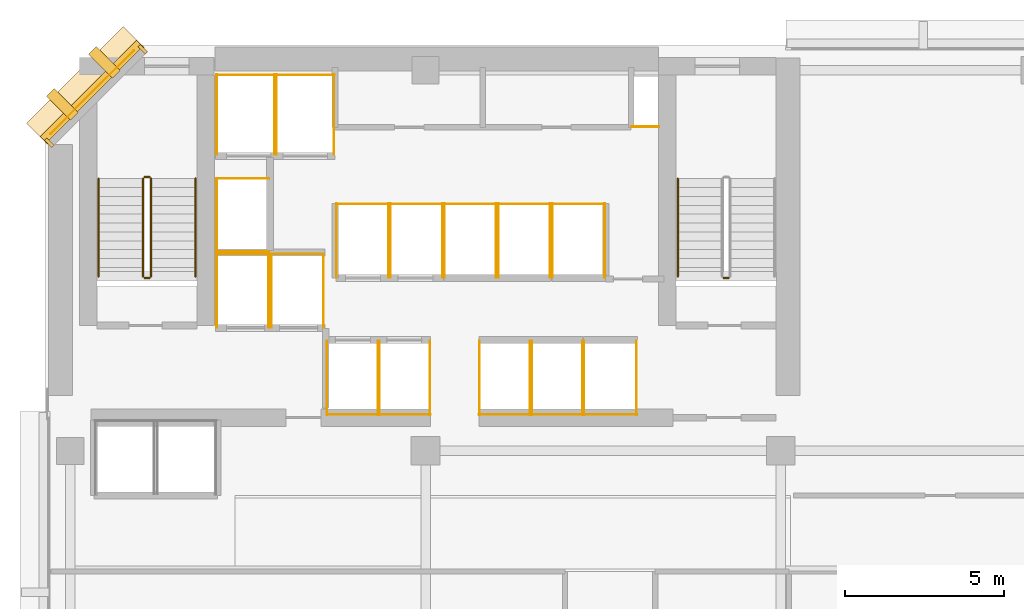
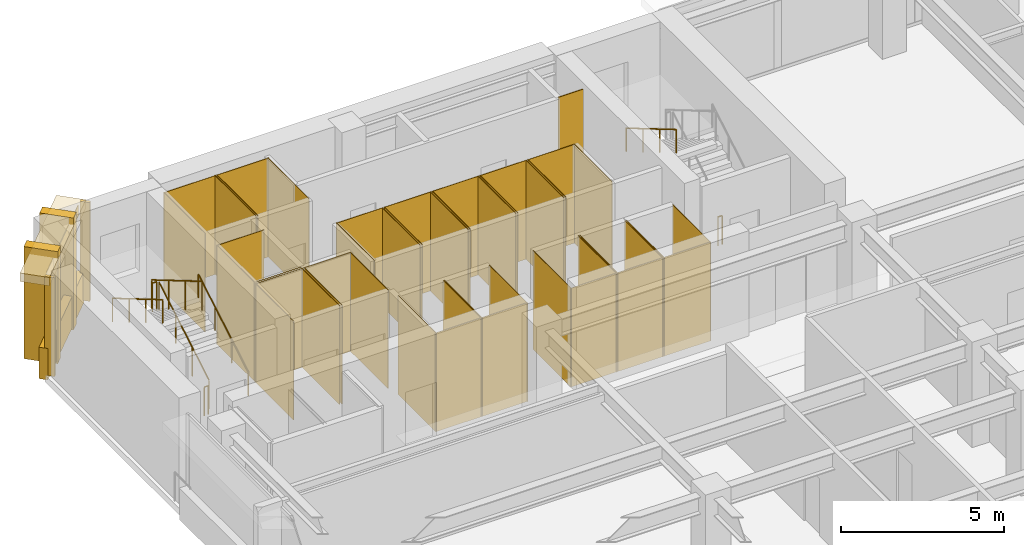
# One storey, part 10 of 12: 53 coverings, 8 railings.
"""IFC4 building model written with IfcOpenShell, lengths in metres."""

from ifc_helpers import new_model, si_unit, direction, frame, origin, origin_2d, place, context, subcontext, project, spatial, polyline, rectangle, circle, outline, extrude, material, layer, layer_set, type_object, element, save


model = new_model("IFC4")

# Units and contexts
model_context = context("Model", 3, precision=1e-05, world=origin(), true_north=direction((0.0, 1.0)))
body_context = subcontext(model_context, "Body", "Model", "MODEL_VIEW")
ifc_project = project(units=[si_unit("LENGTHUNIT", "METRE"), si_unit("AREAUNIT", "SQUARE_METRE"), si_unit("VOLUMEUNIT", "CUBIC_METRE"), si_unit("PLANEANGLEUNIT", "RADIAN"), si_unit("MASSUNIT", "GRAM", prefix="KILO")], contexts=[model_context])

# Site, building, storey
site_placement = place(None, origin())
site = spatial("IfcSite", under=ifc_project, at=site_placement, CompositionType="ELEMENT")
building_placement = place(site_placement, origin())
building = spatial("IfcBuilding", under=site, at=building_placement, Name="Kefirva Bronze Tower", CompositionType="ELEMENT")
storey_placement = place(building_placement, frame((0.0, 0.0, 122.429931640625)))
storey = spatial("IfcBuildingStorey", under=building, at=storey_placement, Name="L29", CompositionType="ELEMENT", Elevation=122.429931640625)

# Coverings
ifc_material_1 = material(Name="Bronze anodised aluminium", Category="aluminium")
ifc_layer_1 = layer(ifc_material_1, 0.02001953125, Name="Bronze anodised aluminium")
ifc_layer_set_1 = layer_set([ifc_layer_1], Name="Bronze anodised aluminium")
covering_type_1 = type_object("IfcCoveringType", Name="Anodised Bronze Spandrel Cladding 20mm", PredefinedType="CLADDING", material=ifc_layer_set_1)
covering_1_placement = place(storey_placement, frame((1.492919921875, 44.507080078125, 3.2900390625), z_axis=(0.0, 0.0, 1.0), x_axis=(-0.707106781187, -0.707106781187, 0.0)))
element("IfcCovering", 1, at=covering_1_placement, inside=storey, type_object=covering_type_1, Name="L29 Bronze Spandrel Cladding 5", PredefinedType="CLADDING", context=body_context, shape_type="SweptSolid", body=[
    extrude(rectangle(XDim=3.719482421875, YDim=0.02001953125, at=origin_2d()), origin(), (0.0, 0.0, 1.0), 0.39990234375),
])
for number, where, z_axis, x_axis, name in (
    (2, (3.08837890625, 45.862060546875, 0.0), (0.0, 0.0, 1.0), (-0.707106781187, -0.707106781187, 0.0), "L29 Facade Joint Closure Panel 5S"),
    (3, (0.137939453125, 42.91162109375, 0.0), (0.0, 0.0, 1.0), (-0.707106781187, -0.707106781187, 0.0), "L29 Facade Joint Closure Panel 5E"),
):
    element("IfcCovering", number, at=place(storey_placement, frame(where, z_axis=z_axis, x_axis=x_axis)), inside=storey, type_object=covering_type_1, Name=name, PredefinedType="CLADDING", context=body_context, shape_type="SweptSolid", body=[
        extrude(rectangle(XDim=0.10009765625, YDim=0.320068359375, at=origin_2d()), origin(), (0.0, 0.0, 1.0), 3.7099609375),
    ])
covering_2_placement = place(storey_placement, frame((1.4716796875, 44.5283203125, -0.15966796875), z_axis=(0.0, 0.0, 1.0), x_axis=(-0.707106781187, -0.707106781187, 0.0)))
element("IfcCovering", 4, at=covering_2_placement, inside=storey, type_object=covering_type_1, Name="L29 Streamline Horizontal Spandrel Band 9", PredefinedType="CLADDING", context=body_context, shape_type="SweptSolid", body=[
    extrude(rectangle(XDim=4.28271484375, YDim=0.280029296875, at=origin_2d()), origin(), (0.0, 0.0, 1.0), 1.179931640625),
])
covering_3_placement = place(storey_placement, origin())
element("IfcCovering", 5, at=covering_3_placement, inside=storey, type_object=covering_type_1, Name="L29 Lift FF1 Hoistway Liner N", PredefinedType="CLADDING", context=body_context, shape_type="SweptSolid", body=[
    extrude(outline(polyline([(5.39990234375, 39.389892578125), (7.080078125, 39.389892578125), (7.080078125, 39.409912109375), (5.39990234375, 39.409912109375), (5.39990234375, 39.389892578125)])), origin(), (0.0, 0.0, 1.0), 3.7099609375),
])
covering_4_placement = place(storey_placement, origin())
element("IfcCovering", 6, at=covering_4_placement, inside=storey, type_object=covering_type_1, Name="L29 Lift FF1 Hoistway Liner W", PredefinedType="CLADDING", context=body_context, shape_type="SweptSolid", body=[
    extrude(outline(polyline([(5.409912109375, 37.080078125), (5.429931640625, 37.080078125), (5.429931640625, 39.419921875), (5.409912109375, 39.419921875), (5.409912109375, 37.080078125)])), origin(), (0.0, 0.0, 1.0), 3.7099609375),
])
covering_5_placement = place(storey_placement, origin())
element("IfcCovering", 7, at=covering_5_placement, inside=storey, type_object=covering_type_1, Name="L29 Lift FF1 Hoistway Liner E", PredefinedType="CLADDING", context=body_context, shape_type="SweptSolid", body=[
    extrude(outline(polyline([(7.050048828125, 37.080078125), (7.070068359375, 37.080078125), (7.070068359375, 39.419921875), (7.050048828125, 39.419921875), (7.050048828125, 37.080078125)])), origin(), (0.0, 0.0, 1.0), 3.7099609375),
])
covering_6_placement = place(storey_placement, origin())
element("IfcCovering", 8, at=covering_6_placement, inside=storey, type_object=covering_type_1, Name="L29 Lift FF2 Hoistway Liner N", PredefinedType="CLADDING", context=body_context, shape_type="SweptSolid", body=[
    extrude(outline(polyline([(7.1201171875, 39.389892578125), (8.800048828125, 39.389892578125), (8.800048828125, 39.409912109375), (7.1201171875, 39.409912109375), (7.1201171875, 39.389892578125)])), origin(), (0.0, 0.0, 1.0), 3.7099609375),
])
covering_7_placement = place(storey_placement, origin())
element("IfcCovering", 9, at=covering_7_placement, inside=storey, type_object=covering_type_1, Name="L29 Lift FF2 Hoistway Liner W", PredefinedType="CLADDING", context=body_context, shape_type="SweptSolid", body=[
    extrude(outline(polyline([(7.1298828125, 37.080078125), (7.14990234375, 37.080078125), (7.14990234375, 39.419921875), (7.1298828125, 39.419921875), (7.1298828125, 37.080078125)])), origin(), (0.0, 0.0, 1.0), 3.7099609375),
])
covering_8_placement = place(storey_placement, origin())
element("IfcCovering", 10, at=covering_8_placement, inside=storey, type_object=covering_type_1, Name="L29 Lift FF2 Hoistway Liner E", PredefinedType="CLADDING", context=body_context, shape_type="SweptSolid", body=[
    extrude(outline(polyline([(8.77001953125, 37.080078125), (8.7900390625, 37.080078125), (8.7900390625, 39.419921875), (8.77001953125, 39.419921875), (8.77001953125, 37.080078125)])), origin(), (0.0, 0.0, 1.0), 3.7099609375),
])
covering_9_placement = place(storey_placement, origin())
element("IfcCovering", 11, at=covering_9_placement, inside=storey, type_object=covering_type_1, Name="L29 Lift SV1 Hoistway Liner N", PredefinedType="CLADDING", context=body_context, shape_type="SweptSolid", body=[
    extrude(outline(polyline([(5.39990234375, 45.0400390625), (7.260009765625, 45.0400390625), (7.260009765625, 45.06005859375), (5.39990234375, 45.06005859375), (5.39990234375, 45.0400390625)])), origin(), (0.0, 0.0, 1.0), 3.7099609375),
])
covering_10_placement = place(storey_placement, origin())
element("IfcCovering", 12, at=covering_10_placement, inside=storey, type_object=covering_type_1, Name="L29 Lift SV1 Hoistway Liner W", PredefinedType="CLADDING", context=body_context, shape_type="SweptSolid", body=[
    extrude(outline(polyline([(5.409912109375, 42.530029296875), (5.429931640625, 42.530029296875), (5.429931640625, 45.070068359375), (5.409912109375, 45.070068359375), (5.409912109375, 42.530029296875)])), origin(), (0.0, 0.0, 1.0), 3.7099609375),
])
covering_11_placement = place(storey_placement, origin())
element("IfcCovering", 13, at=covering_11_placement, inside=storey, type_object=covering_type_1, Name="L29 Lift SV1 Hoistway Liner E", PredefinedType="CLADDING", context=body_context, shape_type="SweptSolid", body=[
    extrude(outline(polyline([(7.22998046875, 42.530029296875), (7.25, 42.530029296875), (7.25, 45.070068359375), (7.22998046875, 45.070068359375), (7.22998046875, 42.530029296875)])), origin(), (0.0, 0.0, 1.0), 3.7099609375),
])
covering_12_placement = place(storey_placement, origin())
element("IfcCovering", 14, at=covering_12_placement, inside=storey, type_object=covering_type_1, Name="L29 Lift SV2 Hoistway Liner N", PredefinedType="CLADDING", context=body_context, shape_type="SweptSolid", body=[
    extrude(outline(polyline([(7.280029296875, 45.0400390625), (9.139892578125, 45.0400390625), (9.139892578125, 45.06005859375), (7.280029296875, 45.06005859375), (7.280029296875, 45.0400390625)])), origin(), (0.0, 0.0, 1.0), 3.7099609375),
])
covering_13_placement = place(storey_placement, origin())
element("IfcCovering", 15, at=covering_13_placement, inside=storey, type_object=covering_type_1, Name="L29 Lift SV2 Hoistway Liner W", PredefinedType="CLADDING", context=body_context, shape_type="SweptSolid", body=[
    extrude(outline(polyline([(7.2900390625, 42.530029296875), (7.31005859375, 42.530029296875), (7.31005859375, 45.070068359375), (7.2900390625, 45.070068359375), (7.2900390625, 42.530029296875)])), origin(), (0.0, 0.0, 1.0), 3.7099609375),
])
covering_14_placement = place(storey_placement, origin())
element("IfcCovering", 16, at=covering_14_placement, inside=storey, type_object=covering_type_1, Name="L29 Lift SV2 Hoistway Liner E", PredefinedType="CLADDING", context=body_context, shape_type="SweptSolid", body=[
    extrude(outline(polyline([(9.110107421875, 42.530029296875), (9.1298828125, 42.530029296875), (9.1298828125, 45.070068359375), (9.110107421875, 45.070068359375), (9.110107421875, 42.530029296875)])), origin(), (0.0, 0.0, 1.0), 3.7099609375),
])
covering_15_placement = place(storey_placement, origin())
element("IfcCovering", 17, at=covering_15_placement, inside=storey, type_object=covering_type_1, Name="L29 Lift LP1 Hoistway Liner S", PredefinedType="CLADDING", context=body_context, shape_type="SweptSolid", body=[
    extrude(outline(polyline([(8.8798828125, 34.340087890625), (10.52001953125, 34.340087890625), (10.52001953125, 34.360107421875), (8.8798828125, 34.360107421875), (8.8798828125, 34.340087890625)])), origin(), (0.0, 0.0, 1.0), 3.7099609375),
])
covering_16_placement = place(storey_placement, origin())
element("IfcCovering", 18, at=covering_16_placement, inside=storey, type_object=covering_type_1, Name="L29 Lift LP1 Hoistway Liner W", PredefinedType="CLADDING", context=body_context, shape_type="SweptSolid", body=[
    extrude(outline(polyline([(8.889892578125, 34.330078125), (8.909912109375, 34.330078125), (8.909912109375, 36.669921875), (8.889892578125, 36.669921875), (8.889892578125, 34.330078125)])), origin(), (0.0, 0.0, 1.0), 3.7099609375),
])
covering_17_placement = place(storey_placement, origin())
element("IfcCovering", 19, at=covering_17_placement, inside=storey, type_object=covering_type_1, Name="L29 Lift LP1 Hoistway Liner E", PredefinedType="CLADDING", context=body_context, shape_type="SweptSolid", body=[
    extrude(outline(polyline([(10.489990234375, 34.330078125), (10.510009765625, 34.330078125), (10.510009765625, 36.669921875), (10.489990234375, 36.669921875), (10.489990234375, 34.330078125)])), origin(), (0.0, 0.0, 1.0), 3.7099609375),
])
covering_18_placement = place(storey_placement, origin())
element("IfcCovering", 20, at=covering_18_placement, inside=storey, type_object=covering_type_1, Name="L29 Lift LP2 Hoistway Liner S", PredefinedType="CLADDING", context=body_context, shape_type="SweptSolid", body=[
    extrude(outline(polyline([(10.52001953125, 34.340087890625), (12.159912109375, 34.340087890625), (12.159912109375, 34.360107421875), (10.52001953125, 34.360107421875), (10.52001953125, 34.340087890625)])), origin(), (0.0, 0.0, 1.0), 3.7099609375),
])
covering_19_placement = place(storey_placement, origin())
element("IfcCovering", 21, at=covering_19_placement, inside=storey, type_object=covering_type_1, Name="L29 Lift LP2 Hoistway Liner W", PredefinedType="CLADDING", context=body_context, shape_type="SweptSolid", body=[
    extrude(outline(polyline([(10.530029296875, 34.330078125), (10.550048828125, 34.330078125), (10.550048828125, 36.669921875), (10.530029296875, 36.669921875), (10.530029296875, 34.330078125)])), origin(), (0.0, 0.0, 1.0), 3.7099609375),
])
covering_20_placement = place(storey_placement, origin())
element("IfcCovering", 22, at=covering_20_placement, inside=storey, type_object=covering_type_1, Name="L29 Lift LP2 Hoistway Liner E", PredefinedType="CLADDING", context=body_context, shape_type="SweptSolid", body=[
    extrude(outline(polyline([(12.1298828125, 34.330078125), (12.14990234375, 34.330078125), (12.14990234375, 36.669921875), (12.1298828125, 36.669921875), (12.1298828125, 34.330078125)])), origin(), (0.0, 0.0, 1.0), 3.7099609375),
])
covering_21_placement = place(storey_placement, origin())
element("IfcCovering", 23, at=covering_21_placement, inside=storey, type_object=covering_type_1, Name="L29 Lift LP3 Hoistway Liner N", PredefinedType="CLADDING", context=body_context, shape_type="SweptSolid", body=[
    extrude(outline(polyline([(9.179931640625, 40.969970703125), (10.85009765625, 40.969970703125), (10.85009765625, 40.989990234375), (9.179931640625, 40.989990234375), (9.179931640625, 40.969970703125)])), origin(), (0.0, 0.0, 1.0), 3.7099609375),
])
covering_22_placement = place(storey_placement, origin())
element("IfcCovering", 24, at=covering_22_placement, inside=storey, type_object=covering_type_1, Name="L29 Lift LP3 Hoistway Liner W", PredefinedType="CLADDING", context=body_context, shape_type="SweptSolid", body=[
    extrude(outline(polyline([(9.18994140625, 38.659912109375), (9.2099609375, 38.659912109375), (9.2099609375, 41.0), (9.18994140625, 41.0), (9.18994140625, 38.659912109375)])), origin(), (0.0, 0.0, 1.0), 3.7099609375),
])
covering_23_placement = place(storey_placement, origin())
element("IfcCovering", 25, at=covering_23_placement, inside=storey, type_object=covering_type_1, Name="L29 Lift LP3 Hoistway Liner E", PredefinedType="CLADDING", context=body_context, shape_type="SweptSolid", body=[
    extrude(outline(polyline([(10.820068359375, 38.659912109375), (10.840087890625, 38.659912109375), (10.840087890625, 41.0), (10.820068359375, 41.0), (10.820068359375, 38.659912109375)])), origin(), (0.0, 0.0, 1.0), 3.7099609375),
])
covering_24_placement = place(storey_placement, origin())
element("IfcCovering", 26, at=covering_24_placement, inside=storey, type_object=covering_type_1, Name="L29 Lift LP4 Hoistway Liner N", PredefinedType="CLADDING", context=body_context, shape_type="SweptSolid", body=[
    extrude(outline(polyline([(10.8798828125, 40.969970703125), (12.550048828125, 40.969970703125), (12.550048828125, 40.989990234375), (10.8798828125, 40.989990234375), (10.8798828125, 40.969970703125)])), origin(), (0.0, 0.0, 1.0), 3.7099609375),
])
covering_25_placement = place(storey_placement, origin())
element("IfcCovering", 27, at=covering_25_placement, inside=storey, type_object=covering_type_1, Name="L29 Lift LP4 Hoistway Liner W", PredefinedType="CLADDING", context=body_context, shape_type="SweptSolid", body=[
    extrude(outline(polyline([(10.889892578125, 38.659912109375), (10.909912109375, 38.659912109375), (10.909912109375, 41.0), (10.889892578125, 41.0), (10.889892578125, 38.659912109375)])), origin(), (0.0, 0.0, 1.0), 3.7099609375),
])
covering_26_placement = place(storey_placement, origin())
element("IfcCovering", 28, at=covering_26_placement, inside=storey, type_object=covering_type_1, Name="L29 Lift LP4 Hoistway Liner E", PredefinedType="CLADDING", context=body_context, shape_type="SweptSolid", body=[
    extrude(outline(polyline([(12.52001953125, 38.659912109375), (12.5400390625, 38.659912109375), (12.5400390625, 41.0), (12.52001953125, 41.0), (12.52001953125, 38.659912109375)])), origin(), (0.0, 0.0, 1.0), 3.7099609375),
])
covering_27_placement = place(storey_placement, origin())
element("IfcCovering", 29, at=covering_27_placement, inside=storey, type_object=covering_type_1, Name="L29 Lift MP1 Hoistway Liner S", PredefinedType="CLADDING", context=body_context, shape_type="SweptSolid", body=[
    extrude(outline(polyline([(13.679931640625, 34.340087890625), (15.320068359375, 34.340087890625), (15.320068359375, 34.360107421875), (13.679931640625, 34.360107421875), (13.679931640625, 34.340087890625)])), origin(), (0.0, 0.0, 1.0), 3.7099609375),
])
covering_28_placement = place(storey_placement, origin())
element("IfcCovering", 30, at=covering_28_placement, inside=storey, type_object=covering_type_1, Name="L29 Lift MP1 Hoistway Liner W", PredefinedType="CLADDING", context=body_context, shape_type="SweptSolid", body=[
    extrude(outline(polyline([(13.68994140625, 34.330078125), (13.7099609375, 34.330078125), (13.7099609375, 36.669921875), (13.68994140625, 36.669921875), (13.68994140625, 34.330078125)])), origin(), (0.0, 0.0, 1.0), 3.7099609375),
])
covering_29_placement = place(storey_placement, origin())
element("IfcCovering", 31, at=covering_29_placement, inside=storey, type_object=covering_type_1, Name="L29 Lift MP1 Hoistway Liner E", PredefinedType="CLADDING", context=body_context, shape_type="SweptSolid", body=[
    extrude(outline(polyline([(15.2900390625, 34.330078125), (15.31005859375, 34.330078125), (15.31005859375, 36.669921875), (15.2900390625, 36.669921875), (15.2900390625, 34.330078125)])), origin(), (0.0, 0.0, 1.0), 3.7099609375),
])
covering_30_placement = place(storey_placement, origin())
element("IfcCovering", 32, at=covering_30_placement, inside=storey, type_object=covering_type_1, Name="L29 Lift MP2 Hoistway Liner S", PredefinedType="CLADDING", context=body_context, shape_type="SweptSolid", body=[
    extrude(outline(polyline([(15.330078125, 34.340087890625), (16.969970703125, 34.340087890625), (16.969970703125, 34.360107421875), (15.330078125, 34.360107421875), (15.330078125, 34.340087890625)])), origin(), (0.0, 0.0, 1.0), 3.7099609375),
])
covering_31_placement = place(storey_placement, origin())
element("IfcCovering", 33, at=covering_31_placement, inside=storey, type_object=covering_type_1, Name="L29 Lift MP2 Hoistway Liner W", PredefinedType="CLADDING", context=body_context, shape_type="SweptSolid", body=[
    extrude(outline(polyline([(15.340087890625, 34.330078125), (15.360107421875, 34.330078125), (15.360107421875, 36.669921875), (15.340087890625, 36.669921875), (15.340087890625, 34.330078125)])), origin(), (0.0, 0.0, 1.0), 3.7099609375),
])
covering_32_placement = place(storey_placement, origin())
element("IfcCovering", 34, at=covering_32_placement, inside=storey, type_object=covering_type_1, Name="L29 Lift MP2 Hoistway Liner E", PredefinedType="CLADDING", context=body_context, shape_type="SweptSolid", body=[
    extrude(outline(polyline([(16.93994140625, 34.330078125), (16.9599609375, 34.330078125), (16.9599609375, 36.669921875), (16.93994140625, 36.669921875), (16.93994140625, 34.330078125)])), origin(), (0.0, 0.0, 1.0), 3.7099609375),
])
covering_33_placement = place(storey_placement, origin())
element("IfcCovering", 35, at=covering_33_placement, inside=storey, type_object=covering_type_1, Name="L29 Lift MP3 Hoistway Liner N", PredefinedType="CLADDING", context=body_context, shape_type="SweptSolid", body=[
    extrude(outline(polyline([(12.580078125, 40.969970703125), (14.25, 40.969970703125), (14.25, 40.989990234375), (12.580078125, 40.989990234375), (12.580078125, 40.969970703125)])), origin(), (0.0, 0.0, 1.0), 3.7099609375),
])
covering_34_placement = place(storey_placement, origin())
element("IfcCovering", 36, at=covering_34_placement, inside=storey, type_object=covering_type_1, Name="L29 Lift MP3 Hoistway Liner W", PredefinedType="CLADDING", context=body_context, shape_type="SweptSolid", body=[
    extrude(outline(polyline([(12.590087890625, 38.659912109375), (12.610107421875, 38.659912109375), (12.610107421875, 41.0), (12.590087890625, 41.0), (12.590087890625, 38.659912109375)])), origin(), (0.0, 0.0, 1.0), 3.7099609375),
])
covering_35_placement = place(storey_placement, origin())
element("IfcCovering", 37, at=covering_35_placement, inside=storey, type_object=covering_type_1, Name="L29 Lift MP3 Hoistway Liner E", PredefinedType="CLADDING", context=body_context, shape_type="SweptSolid", body=[
    extrude(outline(polyline([(14.219970703125, 38.659912109375), (14.239990234375, 38.659912109375), (14.239990234375, 41.0), (14.219970703125, 41.0), (14.219970703125, 38.659912109375)])), origin(), (0.0, 0.0, 1.0), 3.7099609375),
])
covering_36_placement = place(storey_placement, origin())
element("IfcCovering", 38, at=covering_36_placement, inside=storey, type_object=covering_type_1, Name="L29 Lift MP4 Hoistway Liner N", PredefinedType="CLADDING", context=body_context, shape_type="SweptSolid", body=[
    extrude(outline(polyline([(14.280029296875, 40.969970703125), (15.949951171875, 40.969970703125), (15.949951171875, 40.989990234375), (14.280029296875, 40.989990234375), (14.280029296875, 40.969970703125)])), origin(), (0.0, 0.0, 1.0), 3.7099609375),
])
covering_37_placement = place(storey_placement, origin())
element("IfcCovering", 39, at=covering_37_placement, inside=storey, type_object=covering_type_1, Name="L29 Lift MP4 Hoistway Liner W", PredefinedType="CLADDING", context=body_context, shape_type="SweptSolid", body=[
    extrude(outline(polyline([(14.2900390625, 38.659912109375), (14.31005859375, 38.659912109375), (14.31005859375, 41.0), (14.2900390625, 41.0), (14.2900390625, 38.659912109375)])), origin(), (0.0, 0.0, 1.0), 3.7099609375),
])
covering_38_placement = place(storey_placement, origin())
element("IfcCovering", 40, at=covering_38_placement, inside=storey, type_object=covering_type_1, Name="L29 Lift MP4 Hoistway Liner E", PredefinedType="CLADDING", context=body_context, shape_type="SweptSolid", body=[
    extrude(outline(polyline([(15.919921875, 38.659912109375), (15.93994140625, 38.659912109375), (15.93994140625, 41.0), (15.919921875, 41.0), (15.919921875, 38.659912109375)])), origin(), (0.0, 0.0, 1.0), 3.7099609375),
])
covering_39_placement = place(storey_placement, origin())
element("IfcCovering", 41, at=covering_39_placement, inside=storey, type_object=covering_type_1, Name="L29 Lift HP1 Hoistway Liner S", PredefinedType="CLADDING", context=body_context, shape_type="SweptSolid", body=[
    extrude(outline(polyline([(16.97998046875, 34.340087890625), (18.669921875, 34.340087890625), (18.669921875, 34.360107421875), (16.97998046875, 34.360107421875), (16.97998046875, 34.340087890625)])), origin(), (0.0, 0.0, 1.0), 3.7099609375),
])
covering_40_placement = place(storey_placement, origin())
element("IfcCovering", 42, at=covering_40_placement, inside=storey, type_object=covering_type_1, Name="L29 Lift HP1 Hoistway Liner W", PredefinedType="CLADDING", context=body_context, shape_type="SweptSolid", body=[
    extrude(outline(polyline([(16.989990234375, 34.330078125), (17.010009765625, 34.330078125), (17.010009765625, 36.669921875), (16.989990234375, 36.669921875), (16.989990234375, 34.330078125)])), origin(), (0.0, 0.0, 1.0), 3.7099609375),
])
covering_41_placement = place(storey_placement, origin())
element("IfcCovering", 43, at=covering_41_placement, inside=storey, type_object=covering_type_1, Name="L29 Lift HP1 Hoistway Liner E", PredefinedType="CLADDING", context=body_context, shape_type="SweptSolid", body=[
    extrude(outline(polyline([(18.639892578125, 34.330078125), (18.659912109375, 34.330078125), (18.659912109375, 36.669921875), (18.639892578125, 36.669921875), (18.639892578125, 34.330078125)])), origin(), (0.0, 0.0, 1.0), 3.7099609375),
])
covering_42_placement = place(storey_placement, origin())
element("IfcCovering", 44, at=covering_42_placement, inside=storey, type_object=covering_type_1, Name="L29 Lift HP2 Hoistway Liner N", PredefinedType="CLADDING", context=body_context, shape_type="SweptSolid", body=[
    extrude(outline(polyline([(15.97998046875, 40.969970703125), (17.669921875, 40.969970703125), (17.669921875, 40.989990234375), (15.97998046875, 40.989990234375), (15.97998046875, 40.969970703125)])), origin(), (0.0, 0.0, 1.0), 3.7099609375),
])
covering_43_placement = place(storey_placement, origin())
element("IfcCovering", 45, at=covering_43_placement, inside=storey, type_object=covering_type_1, Name="L29 Lift HP2 Hoistway Liner W", PredefinedType="CLADDING", context=body_context, shape_type="SweptSolid", body=[
    extrude(outline(polyline([(15.989990234375, 38.659912109375), (16.010009765625, 38.659912109375), (16.010009765625, 41.0), (15.989990234375, 41.0), (15.989990234375, 38.659912109375)])), origin(), (0.0, 0.0, 1.0), 3.7099609375),
])
covering_44_placement = place(storey_placement, origin())
element("IfcCovering", 46, at=covering_44_placement, inside=storey, type_object=covering_type_1, Name="L29 Lift HP2 Hoistway Liner E", PredefinedType="CLADDING", context=body_context, shape_type="SweptSolid", body=[
    extrude(outline(polyline([(17.639892578125, 38.659912109375), (17.659912109375, 38.659912109375), (17.659912109375, 41.0), (17.639892578125, 41.0), (17.639892578125, 38.659912109375)])), origin(), (0.0, 0.0, 1.0), 3.7099609375),
])
covering_45_placement = place(storey_placement, origin())
element("IfcCovering", 47, at=covering_45_placement, inside=storey, type_object=covering_type_1, Name="L29 Lift HP3 Hoistway Liner N", PredefinedType="CLADDING", context=body_context, shape_type="SweptSolid", body=[
    extrude(outline(polyline([(5.39990234375, 41.77001953125), (7.080078125, 41.77001953125), (7.080078125, 41.7900390625), (5.39990234375, 41.7900390625), (5.39990234375, 41.77001953125)])), origin(), (0.0, 0.0, 1.0), 3.7099609375),
])
covering_46_placement = place(storey_placement, origin())
element("IfcCovering", 48, at=covering_46_placement, inside=storey, type_object=covering_type_1, Name="L29 Lift HP3 Hoistway Liner S", PredefinedType="CLADDING", context=body_context, shape_type="SweptSolid", body=[
    extrude(outline(polyline([(5.39990234375, 39.469970703125), (7.080078125, 39.469970703125), (7.080078125, 39.489990234375), (5.39990234375, 39.489990234375), (5.39990234375, 39.469970703125)])), origin(), (0.0, 0.0, 1.0), 3.7099609375),
])
covering_47_placement = place(storey_placement, origin())
element("IfcCovering", 49, at=covering_47_placement, inside=storey, type_object=covering_type_1, Name="L29 Lift HP3 Hoistway Liner W", PredefinedType="CLADDING", context=body_context, shape_type="SweptSolid", body=[
    extrude(outline(polyline([(5.409912109375, 39.4599609375), (5.429931640625, 39.4599609375), (5.429931640625, 41.800048828125), (5.409912109375, 41.800048828125), (5.409912109375, 39.4599609375)])), origin(), (0.0, 0.0, 1.0), 3.7099609375),
])
covering_48_placement = place(storey_placement, origin())
element("IfcCovering", 50, at=covering_48_placement, inside=storey, type_object=covering_type_1, Name="L29 Core MEP Riser Shaft Liner South", PredefinedType="CLADDING", context=body_context, shape_type="SweptSolid", body=[
    extrude(outline(polyline([(18.47998046875, 43.39990234375), (19.360107421875, 43.39990234375), (19.360107421875, 43.429931640625), (18.47998046875, 43.429931640625), (18.47998046875, 43.39990234375)])), origin(), (0.0, 0.0, 1.0), 3.7099609375),
])

# Railings
ifc_material_2 = material(Name="Stainless steel 316", Category="steel")
railing_type_1 = type_object("IfcRailingType", Name="Interior Stair Guardrail 1100mm", PredefinedType="GUARDRAIL", material=ifc_material_2)
railing_1_placement = place(storey_placement, frame((3.35009765625, 38.699951171875, 0.1650390625)))
element("IfcRailing", 51, at=railing_1_placement, inside=storey, type_object=railing_type_1, Name="L29 ST-1 stair guard 1", PredefinedType="GUARDRAIL", context=body_context, shape_type="SweptSolid", body=[
    extrude(circle(Radius=0.02392578125, at=origin_2d()), frame((0.0, 0.0, 1.076171875), z_axis=(0.0, 0.861551262678, 0.507670583921), x_axis=(-1.0, 0.0, 0.0)), (0.0, 0.0, 1.0), 3.574951171875),
    extrude(circle(Radius=0.02099609375, at=origin_2d()), origin(), (0.0, 0.0, 1.0), 1.052001953125),
    extrude(circle(Radius=0.02099609375, at=origin_2d()), frame((0.0, 1.026611328125, 0.60498046875)), (0.0, 0.0, 1.0), 1.052001953125),
    extrude(circle(Radius=0.02099609375, at=origin_2d()), frame((0.0, 2.053466796875, 1.2099609375)), (0.0, 0.0, 1.0), 1.052001953125),
    extrude(circle(Radius=0.02099609375, at=origin_2d()), frame((0.0, 3.080078125, 1.81494140625)), (0.0, 0.0, 1.0), 1.052001953125),
])
railing_2_placement = place(storey_placement, frame((3.300048828125, 41.830078125, 1.97998046875)))
element("IfcRailing", 52, at=railing_2_placement, inside=storey, type_object=railing_type_1, Name="L29 ST-1 stair guard 2", PredefinedType="GUARDRAIL", context=body_context, shape_type="SweptSolid", body=[
    extrude(circle(Radius=0.02392578125, at=origin_2d()), frame((0.0, 0.0, 1.076171875), z_axis=(-1.0, 0.0, 0.0), x_axis=(0.0, -1.0, 0.0)), (0.0, 0.0, 1.0), 0.150146484375),
    extrude(circle(Radius=0.02099609375, at=origin_2d()), origin(), (0.0, 0.0, 1.0), 1.052001953125),
    extrude(circle(Radius=0.02099609375, at=origin_2d()), frame((-0.150146484375, 0.0, 0.0)), (0.0, 0.0, 1.0), 1.052001953125),
])
railing_3_placement = place(storey_placement, frame((3.10009765625, 41.780029296875, 2.14501953125)))
element("IfcRailing", 53, at=railing_3_placement, inside=storey, type_object=railing_type_1, Name="L29 ST-1 stair guard 3", PredefinedType="GUARDRAIL", context=body_context, shape_type="SweptSolid", body=[
    extrude(circle(Radius=0.02392578125, at=origin_2d()), frame((0.0, 0.0, 1.076171875), z_axis=(0.0, -0.861551262678, 0.507670583921), x_axis=(1.0, 0.0, 0.0)), (0.0, 0.0, 1.0), 3.574951171875),
    extrude(circle(Radius=0.02099609375, at=origin_2d()), origin(), (0.0, 0.0, 1.0), 1.052001953125),
    extrude(circle(Radius=0.02099609375, at=origin_2d()), frame((0.0, -1.026611328125, 0.60498046875)), (0.0, 0.0, 1.0), 1.052001953125),
    extrude(circle(Radius=0.02099609375, at=origin_2d()), frame((0.0, -2.053466796875, 1.2099609375)), (0.0, 0.0, 1.0), 1.052001953125),
    extrude(circle(Radius=0.02099609375, at=origin_2d()), frame((0.0, -3.080078125, 1.81494140625)), (0.0, 0.0, 1.0), 1.052001953125),
])
for number, where, name in (
    (54, (3.300048828125, 38.64990234375, 0.0), "L29 ST-1 stair guard 4"),
    (55, (21.550048828125, 38.64990234375, 0.0), "L29 ST-2 stair guard 4"),
):
    element("IfcRailing", number, at=place(storey_placement, frame(where)), inside=storey, type_object=railing_type_1, Name=name, PredefinedType="GUARDRAIL", context=body_context, shape_type="SweptSolid", body=[
        extrude(circle(Radius=0.02392578125, at=origin_2d()), frame((0.0, 0.0, 1.076171875), z_axis=(-1.0, 0.0, 0.0), x_axis=(0.0, -1.0, 0.0)), (0.0, 0.0, 1.0), 0.150146484375),
        extrude(circle(Radius=0.02099609375, at=origin_2d()), origin(), (0.0, 0.0, 1.0), 1.052001953125),
        extrude(circle(Radius=0.02099609375, at=origin_2d()), frame((-0.150146484375, 0.0, 0.0)), (0.0, 0.0, 1.0), 1.052001953125),
    ])
railing_type_2 = type_object("IfcRailingType", Name="Stair Pitch Handrail 900mm", PredefinedType="HANDRAIL", material=ifc_material_2)
railing_4_placement = place(storey_placement, frame((4.75, 38.699951171875, 0.1650390625)))
element("IfcRailing", 56, at=railing_4_placement, inside=storey, type_object=railing_type_2, Name="L29 ST-1 stair handrail 1", PredefinedType="HANDRAIL", context=body_context, shape_type="SweptSolid", body=[
    extrude(circle(Radius=0.02392578125, at=origin_2d()), frame((0.0, 0.0, 0.8759765625), z_axis=(0.0, 0.861551262678, 0.507670583921), x_axis=(-1.0, 0.0, 0.0)), (0.0, 0.0, 1.0), 3.574951171875),
    extrude(circle(Radius=0.02099609375, at=origin_2d()), origin(), (0.0, 0.0, 1.0), 0.851806640625),
    extrude(circle(Radius=0.02099609375, at=origin_2d()), frame((0.0, 1.026611328125, 0.60498046875)), (0.0, 0.0, 1.0), 0.851806640625),
    extrude(circle(Radius=0.02099609375, at=origin_2d()), frame((0.0, 2.053466796875, 1.2099609375)), (0.0, 0.0, 1.0), 0.851806640625),
    extrude(circle(Radius=0.02099609375, at=origin_2d()), frame((0.0, 3.080078125, 1.81494140625)), (0.0, 0.0, 1.0), 0.851806640625),
])
for number, where, name in (
    (57, (1.699951171875, 41.780029296875, 2.14501953125), "L29 ST-1 stair handrail 2"),
    (58, (19.949951171875, 41.780029296875, 2.14501953125), "L29 ST-2 stair handrail 2"),
):
    element("IfcRailing", number, at=place(storey_placement, frame(where)), inside=storey, type_object=railing_type_2, Name=name, PredefinedType="HANDRAIL", context=body_context, shape_type="SweptSolid", body=[
        extrude(circle(Radius=0.02392578125, at=origin_2d()), frame((0.0, 0.0, 0.8759765625), z_axis=(0.0, -0.861551262678, 0.507670583921), x_axis=(1.0, 0.0, 0.0)), (0.0, 0.0, 1.0), 3.574951171875),
        extrude(circle(Radius=0.02099609375, at=origin_2d()), origin(), (0.0, 0.0, 1.0), 0.851806640625),
        extrude(circle(Radius=0.02099609375, at=origin_2d()), frame((0.0, -1.026611328125, 0.60498046875)), (0.0, 0.0, 1.0), 0.851806640625),
        extrude(circle(Radius=0.02099609375, at=origin_2d()), frame((0.0, -2.053466796875, 1.2099609375)), (0.0, 0.0, 1.0), 0.851806640625),
        extrude(circle(Radius=0.02099609375, at=origin_2d()), frame((0.0, -3.080078125, 1.81494140625)), (0.0, 0.0, 1.0), 0.851806640625),
    ])

# Coverings
ifc_layer_2 = layer(ifc_material_1, 0.179931640625, Name="Bronze anodised aluminium")
ifc_layer_set_2 = layer_set([ifc_layer_2], Name="Bronze anodised aluminium")
covering_type_2 = type_object("IfcCoveringType", Name="Streamline Bronze Sunshade Eyebrow Cladding 180mm", PredefinedType="CLADDING", material=ifc_layer_set_2)
covering_49_placement = place(storey_placement, frame((1.28076171875, 44.71923828125, 3.39013671875), z_axis=(0.0, 0.0, 1.0), x_axis=(-0.707106781187, -0.707106781187, 0.0)))
element("IfcCovering", 59, at=covering_49_placement, inside=storey, type_object=covering_type_2, Name="L29 Streamline Bronze Sunshade Eyebrow 9", PredefinedType="CLADDING", context=body_context, shape_type="SweptSolid", body=[
    extrude(rectangle(XDim=4.322509765625, YDim=0.93994140625, at=origin_2d()), origin(), (0.0, 0.0, 1.0), 0.320068359375),
])
ifc_layer_3 = layer(ifc_material_1, 0.260009765625, Name="Bronze anodised aluminium")
ifc_layer_set_3 = layer_set([ifc_layer_3], Name="Bronze anodised aluminium")
covering_type_3 = type_object("IfcCoveringType", Name="Unbroken Bronze Buttress Fin Cladding 260mm", PredefinedType="CLADDING", material=ifc_layer_set_3)
for number, where, z_axis, x_axis, name in (
    (60, (1.877197265625, 45.44287109375, -0.25), (0.0, 0.0, 1.0), (-0.707106781187, -0.707106781187, 0.0), "L29 Chamfered Corner Buttress Fin Cladding 21"),
    (61, (0.55712890625, 44.122802734375, -0.25), (0.0, 0.0, 1.0), (-0.707106781187, -0.707106781187, 0.0), "L29 Chamfered Corner Buttress Fin Cladding 22"),
):
    element("IfcCovering", number, at=place(storey_placement, frame(where, z_axis=z_axis, x_axis=x_axis)), inside=storey, type_object=covering_type_3, Name=name, PredefinedType="CLADDING", context=body_context, shape_type="SweptSolid", body=[
        extrude(rectangle(XDim=0.340087890625, YDim=1.080078125, at=origin_2d()), origin(), (0.0, 0.0, 1.0), 4.2099609375),
    ])

save(model, "model.ifc")
